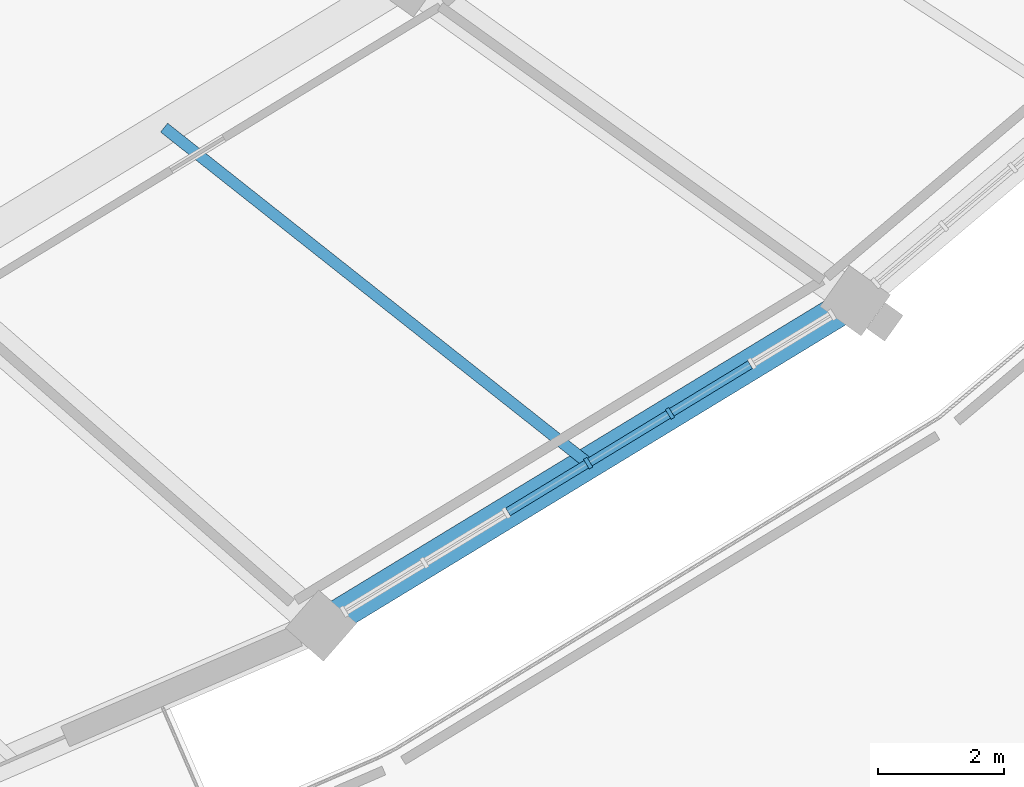
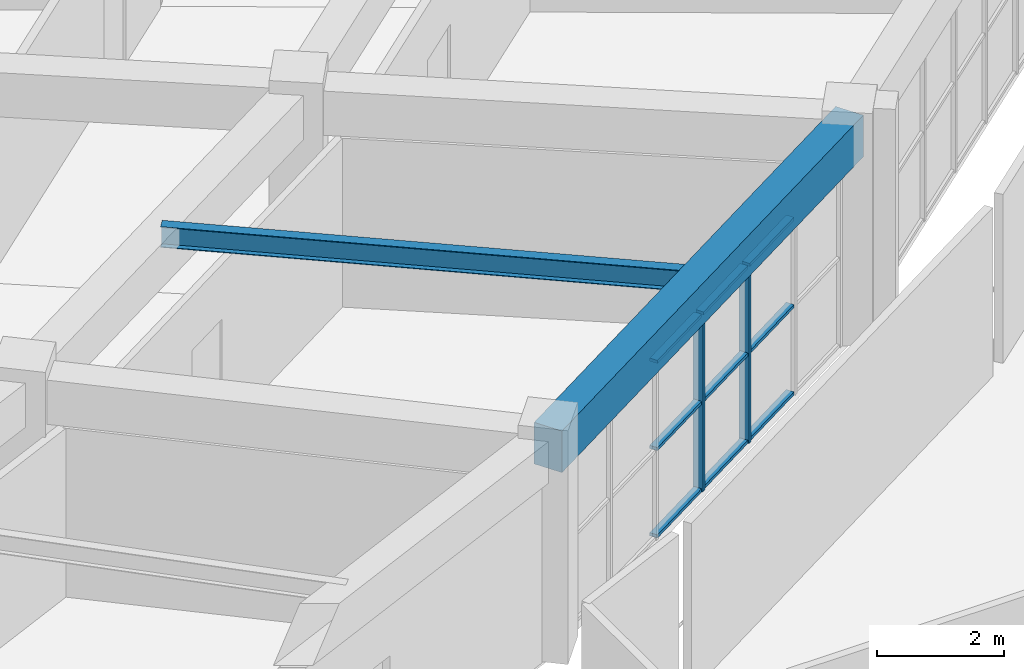
# One storey, part 39 of 145: 11 members, 2 beams, 1 element without a shape of its own.
"""IFC4 building model written with IfcOpenShell, lengths in metres."""

from ifc_helpers import new_model, si_unit, direction, frame, origin, origin_2d, place, context, subcontext, project, spatial, rectangle, i_section, extrude, material, layer, layer_set, material_profile, profile_set, type_object, element, aggregate, save


model = new_model("IFC4")

# Units and contexts
model_context = context("Model", 3, precision=1e-05, world=origin(), true_north=direction((0.0, 1.0)))
body_context = subcontext(model_context, "Body", "Model", "MODEL_VIEW")
ifc_project = project(units=[si_unit("LENGTHUNIT", "METRE"), si_unit("AREAUNIT", "SQUARE_METRE"), si_unit("VOLUMEUNIT", "CUBIC_METRE"), si_unit("PLANEANGLEUNIT", "RADIAN"), si_unit("MASSUNIT", "GRAM", prefix="KILO")], contexts=[model_context])

# Site, building, storey
site_placement = place(None, origin())
site = spatial("IfcSite", under=ifc_project, at=site_placement, CompositionType="ELEMENT")
building_placement = place(site_placement, origin())
building = spatial("IfcBuilding", under=site, at=building_placement, Name="Mphavela Belvedere Stadium", CompositionType="ELEMENT")
storey_placement = place(building_placement, frame((0.0, 0.0, 10.199951171875)))
storey = spatial("IfcBuildingStorey", under=building, at=storey_placement, Name="L02", CompositionType="ELEMENT", Elevation=10.199951171875)

# Beams
ifc_material_1 = material(Name="Steel S355", Category="steel")
ifc_material_profile_1 = material_profile(ifc_material_1, i_section(OverallWidth=0.179931640625, OverallDepth=0.39990234375, WebThickness=0.008544921875, FlangeThickness=0.013427734375, at=origin_2d()), Name="IPE 400")
ifc_profile_set_1 = profile_set([ifc_material_profile_1], Name="Steel S355")
beam_type_1 = type_object("IfcBeamType", Name="BM-JOIST-IPE400", PredefinedType="JOIST", material=ifc_profile_set_1)
beam_1_placement = place(storey_placement, frame((183.210693359375, 33.02587890625, 4.050048828125), z_axis=(0.784195537739, -0.620513785979, 0.0), x_axis=(0.620513785979, 0.784195537739, 0.0)))
element("IfcBeam", 1, at=beam_1_placement, inside=storey, type_object=beam_type_1, Name="Concourse floor joist L02-42", PredefinedType="JOIST", context=body_context, shape_type="SweptSolid", body=[
    extrude(i_section(OverallWidth=0.179931640625, OverallDepth=0.39990234375, WebThickness=0.008544921875, FlangeThickness=0.013427734375, at=origin_2d()), origin(), (0.0, 0.0, 1.0), 8.56298828125),
])
ifc_material_2 = material(Name="Concrete C40/50", Category="concrete")
ifc_material_profile_2 = material_profile(ifc_material_2, rectangle(XDim=0.5, YDim=0.800048828125, at=origin_2d()), Name="RC 500x800")
ifc_profile_set_2 = profile_set([ifc_material_profile_2], Name="Concrete C40/50")
beam_type_2 = type_object("IfcBeamType", Name="BM-SPANDREL-800", PredefinedType="SPANDREL", material=ifc_profile_set_2)
beam_2_placement = place(storey_placement, frame((185.6962890625, 25.13916015625, 3.85009765625), z_axis=(0.854326607994, 0.51973651678, 0.0), x_axis=(-0.51973651678, 0.854326607994, 0.0)))
element("IfcBeam", 2, at=beam_2_placement, inside=storey, type_object=beam_type_2, Name="Circumferential girder L02 R4-42", PredefinedType="SPANDREL", context=body_context, shape_type="SweptSolid", body=[
    extrude(rectangle(XDim=0.5, YDim=0.800048828125, at=origin_2d()), origin(), (0.0, 0.0, 1.0), 9.901611328125),
])

# Curtain wall, members
ifc_material_3 = material(Name="Anodised bronze unitised curtain wall framing")
ifc_layer = layer(ifc_material_3, 0.18505859375)
ifc_layer_set = layer_set([ifc_layer], Name="Anodised bronze unitised curtain wall framing")
curtain_wall_type = type_object("IfcCurtainWallType", Name="CW-UNIT-02", PredefinedType="USERDEFINED", material=ifc_layer_set)
curtain_wall_placement = place(storey_placement, origin())
curtain_wall = element("IfcCurtainWall", 3, at=curtain_wall_placement, inside=storey, type_object=curtain_wall_type, Name="Belvedere colonnade curtain wall L02-42", ObjectType="UNITISED CURTAIN WALL", PredefinedType="USERDEFINED")
ifc_material_4 = material(Name="Anodised bronze extruded aluminium", Category="aluminium")
ifc_material_profile_3 = material_profile(ifc_material_4, rectangle(XDim=0.179931640625, YDim=0.06494140625, at=origin_2d()), Name="CW-MUL 180x65")
ifc_profile_set_3 = profile_set([ifc_material_profile_3], Name="Anodised bronze extruded aluminium")
member_type_1 = type_object("IfcMemberType", Name="CWM-180x65", PredefinedType="MULLION", material=ifc_profile_set_3)
member_1_placement = place(storey_placement, frame((189.92578125, 27.71240234375, 0.0), z_axis=(0.0, 0.0, 1.0), x_axis=(-0.519731623633, 0.85432958476, 0.0)))
member_1 = element("IfcMember", 4, at=member_1_placement, type_object=member_type_1, Name="CW-02 mullion 4", PredefinedType="MULLION", context=body_context, shape_type="SweptSolid", body=[
    extrude(rectangle(XDim=0.179931640625, YDim=0.06494140625, at=origin_2d()), origin(), (0.0, 0.0, 1.0), 3.420166015625),
])
member_2_placement = place(storey_placement, frame((191.222412109375, 28.5009765625, 0.0), z_axis=(0.0, 0.0, 1.0), x_axis=(-0.519731623633, 0.85432958476, 0.0)))
member_2 = element("IfcMember", 5, at=member_2_placement, type_object=member_type_1, Name="CW-02 mullion 5", PredefinedType="MULLION", context=body_context, shape_type="SweptSolid", body=[
    extrude(rectangle(XDim=0.179931640625, YDim=0.06494140625, at=origin_2d()), origin(), (0.0, 0.0, 1.0), 3.420166015625),
])
ifc_material_5 = material(Name="Anodised bronze extruded aluminium", Category="aluminium")
ifc_material_profile_4 = material_profile(ifc_material_5, rectangle(XDim=0.139892578125, YDim=0.06005859375, at=origin_2d()), Name="CW-TRN 140x60")
ifc_profile_set_4 = profile_set([ifc_material_profile_4], Name="Anodised bronze extruded aluminium")
member_type_2 = type_object("IfcMemberType", Name="CWT-140x60", PredefinedType="USERDEFINED", material=ifc_profile_set_4)
member_3_placement = place(storey_placement, frame((188.656982421875, 26.9404296875, 0.030029296875), z_axis=(0.85439320808, 0.519627025843, 0.0), x_axis=(-0.519627025843, 0.85439320808, 0.0)))
member_3 = element("IfcMember", 6, at=member_3_placement, type_object=member_type_2, Name="CW-02 transom 3.1", ObjectType="TRANSOM", PredefinedType="USERDEFINED", context=body_context, shape_type="SweptSolid", body=[
    extrude(rectangle(XDim=0.139892578125, YDim=0.06005859375, at=origin_2d()), origin(), (0.0, 0.0, 1.0), 1.45263671875),
])
member_4_placement = place(storey_placement, frame((188.656982421875, 26.9404296875, 1.7099609375), z_axis=(0.85439320808, 0.519627025843, 0.0), x_axis=(-0.519627025843, 0.85439320808, 0.0)))
member_4 = element("IfcMember", 7, at=member_4_placement, type_object=member_type_2, Name="CW-02 transom 3.2", ObjectType="TRANSOM", PredefinedType="USERDEFINED", context=body_context, shape_type="SweptSolid", body=[
    extrude(rectangle(XDim=0.139892578125, YDim=0.06005859375, at=origin_2d()), origin(), (0.0, 0.0, 1.0), 1.45263671875),
])
member_5_placement = place(storey_placement, frame((188.656982421875, 26.9404296875, 3.39013671875), z_axis=(0.85439320808, 0.519627025843, 0.0), x_axis=(-0.519627025843, 0.85439320808, 0.0)))
member_5 = element("IfcMember", 8, at=member_5_placement, type_object=member_type_2, Name="CW-02 transom 3.3", ObjectType="TRANSOM", PredefinedType="USERDEFINED", context=body_context, shape_type="SweptSolid", body=[
    extrude(rectangle(XDim=0.139892578125, YDim=0.06005859375, at=origin_2d()), origin(), (0.0, 0.0, 1.0), 1.45263671875),
])
member_6_placement = place(storey_placement, frame((189.95361328125, 27.729248046875, 0.030029296875), z_axis=(0.854347821313, 0.519701645387, 0.0), x_axis=(-0.519701645387, 0.854347821313, 0.0)))
member_6 = element("IfcMember", 9, at=member_6_placement, type_object=member_type_2, Name="CW-02 transom 4.1", ObjectType="TRANSOM", PredefinedType="USERDEFINED", context=body_context, shape_type="SweptSolid", body=[
    extrude(rectangle(XDim=0.139892578125, YDim=0.06005859375, at=origin_2d()), origin(), (0.0, 0.0, 1.0), 1.45263671875),
])
member_7_placement = place(storey_placement, frame((189.95361328125, 27.729248046875, 1.7099609375), z_axis=(0.854347821313, 0.519701645387, 0.0), x_axis=(-0.519701645387, 0.854347821313, 0.0)))
member_7 = element("IfcMember", 10, at=member_7_placement, type_object=member_type_2, Name="CW-02 transom 4.2", ObjectType="TRANSOM", PredefinedType="USERDEFINED", context=body_context, shape_type="SweptSolid", body=[
    extrude(rectangle(XDim=0.139892578125, YDim=0.06005859375, at=origin_2d()), origin(), (0.0, 0.0, 1.0), 1.45263671875),
])
member_8_placement = place(storey_placement, frame((189.95361328125, 27.729248046875, 3.39013671875), z_axis=(0.854347821313, 0.519701645387, 0.0), x_axis=(-0.519701645387, 0.854347821313, 0.0)))
member_8 = element("IfcMember", 11, at=member_8_placement, type_object=member_type_2, Name="CW-02 transom 4.3", ObjectType="TRANSOM", PredefinedType="USERDEFINED", context=body_context, shape_type="SweptSolid", body=[
    extrude(rectangle(XDim=0.139892578125, YDim=0.06005859375, at=origin_2d()), origin(), (0.0, 0.0, 1.0), 1.45263671875),
])
member_9_placement = place(storey_placement, frame((191.250244140625, 28.51806640625, 0.030029296875), z_axis=(0.854347821313, 0.519701645387, 0.0), x_axis=(-0.519701645387, 0.854347821313, 0.0)))
member_9 = element("IfcMember", 12, at=member_9_placement, type_object=member_type_2, Name="CW-02 transom 5.1", ObjectType="TRANSOM", PredefinedType="USERDEFINED", context=body_context, shape_type="SweptSolid", body=[
    extrude(rectangle(XDim=0.139892578125, YDim=0.06005859375, at=origin_2d()), origin(), (0.0, 0.0, 1.0), 1.45263671875),
])
member_10_placement = place(storey_placement, frame((191.250244140625, 28.51806640625, 1.7099609375), z_axis=(0.854347821313, 0.519701645387, 0.0), x_axis=(-0.519701645387, 0.854347821313, 0.0)))
member_10 = element("IfcMember", 13, at=member_10_placement, type_object=member_type_2, Name="CW-02 transom 5.2", ObjectType="TRANSOM", PredefinedType="USERDEFINED", context=body_context, shape_type="SweptSolid", body=[
    extrude(rectangle(XDim=0.139892578125, YDim=0.06005859375, at=origin_2d()), origin(), (0.0, 0.0, 1.0), 1.45263671875),
])
member_11_placement = place(storey_placement, frame((191.250244140625, 28.51806640625, 3.39013671875), z_axis=(0.854347821313, 0.519701645387, 0.0), x_axis=(-0.519701645387, 0.854347821313, 0.0)))
member_11 = element("IfcMember", 14, at=member_11_placement, type_object=member_type_2, Name="CW-02 transom 5.3", ObjectType="TRANSOM", PredefinedType="USERDEFINED", context=body_context, shape_type="SweptSolid", body=[
    extrude(rectangle(XDim=0.139892578125, YDim=0.06005859375, at=origin_2d()), origin(), (0.0, 0.0, 1.0), 1.45263671875),
])
aggregate(curtain_wall, [member_1, member_2, member_3, member_4, member_5, member_6, member_7, member_8, member_9, member_10, member_11])

save(model, "model.ifc")
